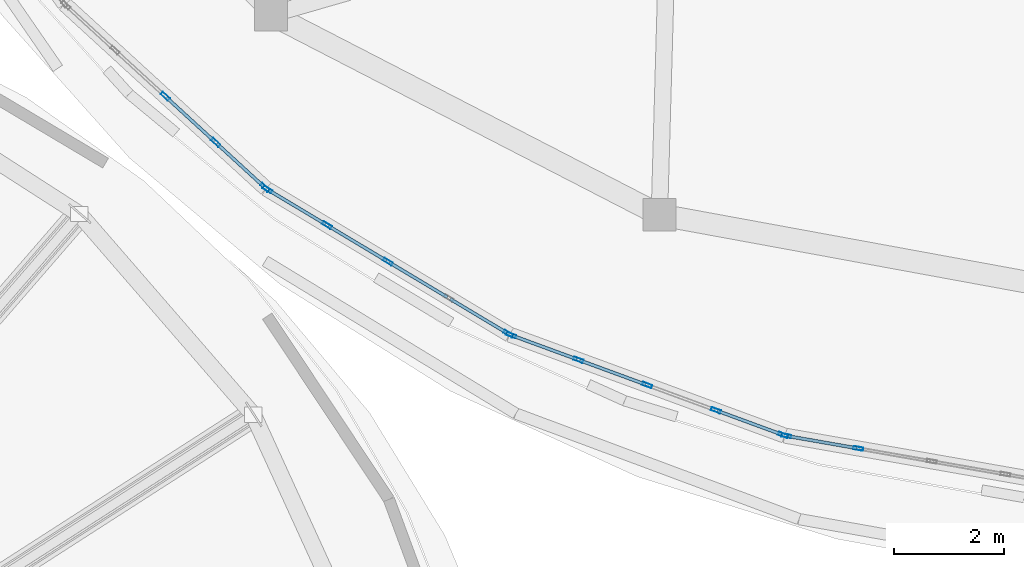
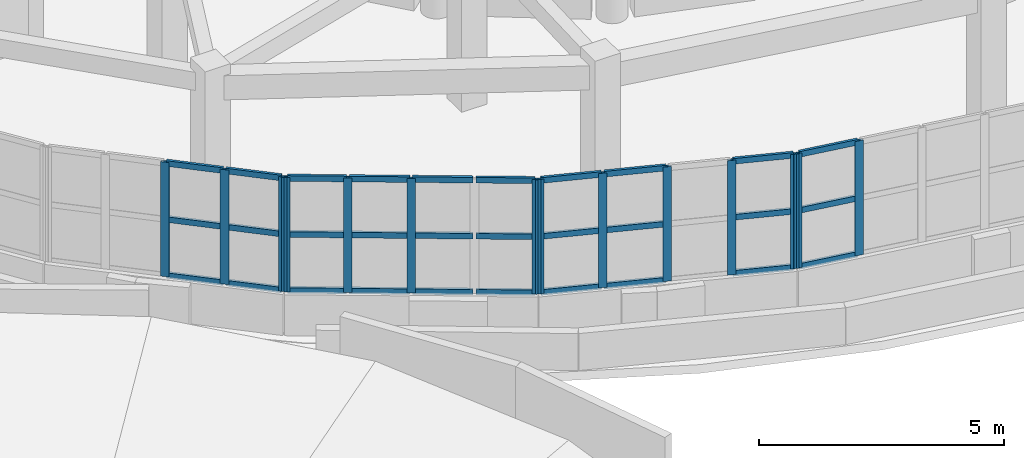
# One storey, part 11 of 69: 44 members, 4 elements without a shape of their own.
"""IFC4 building model written with IfcOpenShell, lengths in metres."""

from ifc_helpers import new_model, si_unit, direction, frame, origin, origin_2d, place, context, subcontext, project, spatial, hollow_rectangle, extrude, material, layer, layer_set, material_profile, profile_set, type_object, element, aggregate, save


model = new_model("IFC4")

# Units and contexts
model_context = context("Model", 3, precision=1e-05, world=origin(), true_north=direction((0.0, 1.0)))
body_context = subcontext(model_context, "Body", "Model", "MODEL_VIEW")
ifc_project = project(units=[si_unit("LENGTHUNIT", "METRE"), si_unit("AREAUNIT", "SQUARE_METRE"), si_unit("VOLUMEUNIT", "CUBIC_METRE"), si_unit("PLANEANGLEUNIT", "RADIAN"), si_unit("MASSUNIT", "GRAM", prefix="KILO")], contexts=[model_context])

# Site, building, storey
site_placement = place(None, origin())
site = spatial("IfcSite", under=ifc_project, at=site_placement, CompositionType="ELEMENT")
building_placement = place(site_placement, origin())
building = spatial("IfcBuilding", under=site, at=building_placement, Name="Pelvatis Terrace Science Centre", CompositionType="ELEMENT")
storey_placement = place(building_placement, frame((0.0, 0.0, 15.0)))
storey = spatial("IfcBuildingStorey", under=building, at=storey_placement, Name="L03", CompositionType="ELEMENT", Elevation=15.0)

# Curtain wall, members
ifc_material_1 = material(Name="Bronze-anodised aluminium and laminated glass", Category="aluminium")
ifc_layer = layer(ifc_material_1, 0.179931640625)
ifc_layer_set = layer_set([ifc_layer], Name="Bronze-anodised aluminium and laminated glass")
curtain_wall_type = type_object("IfcCurtainWallType", Name="CW-RIBBON-A", PredefinedType="NOTDEFINED", material=ifc_layer_set)
curtain_wall_1_placement = place(storey_placement, origin())
curtain_wall_1 = element("IfcCurtainWall", 1, at=curtain_wall_1_placement, inside=storey, type_object=curtain_wall_type, Name="Ribbon curtain wall CW-201 (L03)", PredefinedType="NOTDEFINED")
ifc_material_2 = material(Name="Bronze-anodised aluminium 6063-T6", Category="aluminium")
ifc_material_profile_1 = material_profile(ifc_material_2, hollow_rectangle(XDim=0.06005859375, YDim=0.179931640625, WallThickness=0.00390625, at=origin_2d()), Name="ALU-MUL 60x180")
ifc_profile_set_1 = profile_set([ifc_material_profile_1], Name="Bronze-anodised aluminium 6063-T6")
member_type_1 = type_object("IfcMemberType", Name="CWM-60x180", PredefinedType="MULLION", material=ifc_profile_set_1)
member_1_placement = place(storey_placement, frame((90.69921875, 69.592529296875, 1.02001953125), z_axis=(0.0, 0.0, 1.0), x_axis=(0.675451772708, 0.737404165127, 0.0)))
member_1 = element("IfcMember", 2, at=member_1_placement, type_object=member_type_1, Name="CW-201 mullion 3", PredefinedType="MULLION", context=body_context, shape_type="SweptSolid", body=[
    extrude(hollow_rectangle(XDim=0.06005859375, YDim=0.179931640625, WallThickness=0.00390625, at=origin_2d()), origin(), (0.0, 0.0, 1.0), 2.85009765625),
])
member_2_placement = place(storey_placement, frame((91.6171875, 68.751708984375, 1.02001953125), z_axis=(0.0, 0.0, 1.0), x_axis=(0.675451772708, 0.737404165127, 0.0)))
member_2 = element("IfcMember", 3, at=member_2_placement, type_object=member_type_1, Name="CW-201 mullion 4", PredefinedType="MULLION", context=body_context, shape_type="SweptSolid", body=[
    extrude(hollow_rectangle(XDim=0.06005859375, YDim=0.179931640625, WallThickness=0.00390625, at=origin_2d()), origin(), (0.0, 0.0, 1.0), 2.85009765625),
])
member_3_placement = place(storey_placement, frame((92.51318359375, 67.93115234375, 1.02001953125), z_axis=(0.0, 0.0, 1.0), x_axis=(0.675451772708, 0.737404165127, 0.0)))
member_3 = element("IfcMember", 4, at=member_3_placement, type_object=member_type_1, Name="CW-201 mullion 5", PredefinedType="MULLION", context=body_context, shape_type="SweptSolid", body=[
    extrude(hollow_rectangle(XDim=0.06005859375, YDim=0.179931640625, WallThickness=0.00390625, at=origin_2d()), origin(), (0.0, 0.0, 1.0), 2.85009765625),
])

curtain_wall_2_placement = place(storey_placement, origin())
curtain_wall_2 = element("IfcCurtainWall", 5, at=curtain_wall_2_placement, inside=storey, type_object=curtain_wall_type, Name="Ribbon curtain wall CW-202 (L03)", PredefinedType="NOTDEFINED")
member_4_placement = place(storey_placement, frame((92.56103515625, 67.8955078125, 1.02001953125), z_axis=(0.0, 0.0, 1.0), x_axis=(0.51399559594, 0.857792823096, 0.0)))
member_4 = element("IfcMember", 6, at=member_4_placement, type_object=member_type_1, Name="CW-202 mullion 1", PredefinedType="MULLION", context=body_context, shape_type="SweptSolid", body=[
    extrude(hollow_rectangle(XDim=0.06005859375, YDim=0.179931640625, WallThickness=0.00390625, at=origin_2d()), origin(), (0.0, 0.0, 1.0), 2.85009765625),
])
member_5_placement = place(storey_placement, frame((93.645263671875, 67.245849609375, 1.02001953125), z_axis=(0.0, 0.0, 1.0), x_axis=(0.51399559594, 0.857792823096, 0.0)))
member_5 = element("IfcMember", 7, at=member_5_placement, type_object=member_type_1, Name="CW-202 mullion 2", PredefinedType="MULLION", context=body_context, shape_type="SweptSolid", body=[
    extrude(hollow_rectangle(XDim=0.06005859375, YDim=0.179931640625, WallThickness=0.00390625, at=origin_2d()), origin(), (0.0, 0.0, 1.0), 2.85009765625),
])
member_6_placement = place(storey_placement, frame((94.755126953125, 66.580810546875, 1.02001953125), z_axis=(0.0, 0.0, 1.0), x_axis=(0.51399559594, 0.857792823096, 0.0)))
member_6 = element("IfcMember", 8, at=member_6_placement, type_object=member_type_1, Name="CW-202 mullion 3", PredefinedType="MULLION", context=body_context, shape_type="SweptSolid", body=[
    extrude(hollow_rectangle(XDim=0.06005859375, YDim=0.179931640625, WallThickness=0.00390625, at=origin_2d()), origin(), (0.0, 0.0, 1.0), 2.85009765625),
])
member_7_placement = place(storey_placement, frame((96.94921875, 65.26611328125, 1.02001953125), z_axis=(0.0, 0.0, 1.0), x_axis=(0.51399559594, 0.857792823096, 0.0)))
member_7 = element("IfcMember", 9, at=member_7_placement, type_object=member_type_1, Name="CW-202 mullion 5", PredefinedType="MULLION", context=body_context, shape_type="SweptSolid", body=[
    extrude(hollow_rectangle(XDim=0.06005859375, YDim=0.179931640625, WallThickness=0.00390625, at=origin_2d()), origin(), (0.0, 0.0, 1.0), 2.85009765625),
])

curtain_wall_3_placement = place(storey_placement, origin())
curtain_wall_3 = element("IfcCurtainWall", 10, at=curtain_wall_3_placement, inside=storey, type_object=curtain_wall_type, Name="Ribbon curtain wall CW-203 (L03)", PredefinedType="NOTDEFINED")
member_8_placement = place(storey_placement, frame((97.003173828125, 65.240234375, 1.02001953125), z_axis=(0.0, 0.0, 1.0), x_axis=(0.34471510549, 0.938707353783, 0.0)))
member_8 = element("IfcMember", 11, at=member_8_placement, type_object=member_type_1, Name="CW-203 mullion 1", PredefinedType="MULLION", context=body_context, shape_type="SweptSolid", body=[
    extrude(hollow_rectangle(XDim=0.06005859375, YDim=0.179931640625, WallThickness=0.00390625, at=origin_2d()), origin(), (0.0, 0.0, 1.0), 2.85009765625),
])
member_9_placement = place(storey_placement, frame((98.228271484375, 64.790283203125, 1.02001953125), z_axis=(0.0, 0.0, 1.0), x_axis=(0.34471510549, 0.938707353783, 0.0)))
member_9 = element("IfcMember", 12, at=member_9_placement, type_object=member_type_1, Name="CW-203 mullion 2", PredefinedType="MULLION", context=body_context, shape_type="SweptSolid", body=[
    extrude(hollow_rectangle(XDim=0.06005859375, YDim=0.179931640625, WallThickness=0.00390625, at=origin_2d()), origin(), (0.0, 0.0, 1.0), 2.85009765625),
])
member_10_placement = place(storey_placement, frame((99.481689453125, 64.330078125, 1.02001953125), z_axis=(0.0, 0.0, 1.0), x_axis=(0.34471510549, 0.938707353783, 0.0)))
member_10 = element("IfcMember", 13, at=member_10_placement, type_object=member_type_1, Name="CW-203 mullion 3", PredefinedType="MULLION", context=body_context, shape_type="SweptSolid", body=[
    extrude(hollow_rectangle(XDim=0.06005859375, YDim=0.179931640625, WallThickness=0.00390625, at=origin_2d()), origin(), (0.0, 0.0, 1.0), 2.85009765625),
])
member_11_placement = place(storey_placement, frame((100.73486328125, 63.869873046875, 1.02001953125), z_axis=(0.0, 0.0, 1.0), x_axis=(0.34471510549, 0.938707353783, 0.0)))
member_11 = element("IfcMember", 14, at=member_11_placement, type_object=member_type_1, Name="CW-203 mullion 4", PredefinedType="MULLION", context=body_context, shape_type="SweptSolid", body=[
    extrude(hollow_rectangle(XDim=0.06005859375, YDim=0.179931640625, WallThickness=0.00390625, at=origin_2d()), origin(), (0.0, 0.0, 1.0), 2.85009765625),
])
member_12_placement = place(storey_placement, frame((101.960205078125, 63.419921875, 1.02001953125), z_axis=(0.0, 0.0, 1.0), x_axis=(0.34471510549, 0.938707353783, 0.0)))
member_12 = element("IfcMember", 15, at=member_12_placement, type_object=member_type_1, Name="CW-203 mullion 5", PredefinedType="MULLION", context=body_context, shape_type="SweptSolid", body=[
    extrude(hollow_rectangle(XDim=0.06005859375, YDim=0.179931640625, WallThickness=0.00390625, at=origin_2d()), origin(), (0.0, 0.0, 1.0), 2.85009765625),
])

curtain_wall_4_placement = place(storey_placement, origin())
curtain_wall_4 = element("IfcCurtainWall", 16, at=curtain_wall_4_placement, inside=storey, type_object=curtain_wall_type, Name="Ribbon curtain wall CW-204 (L03)", PredefinedType="NOTDEFINED")
member_13_placement = place(storey_placement, frame((102.017822265625, 63.404541015625, 1.02001953125), z_axis=(0.0, 0.0, 1.0), x_axis=(0.172671428067, 0.984979480969, 0.0)))
member_13 = element("IfcMember", 17, at=member_13_placement, type_object=member_type_1, Name="CW-204 mullion 1", PredefinedType="MULLION", context=body_context, shape_type="SweptSolid", body=[
    extrude(hollow_rectangle(XDim=0.06005859375, YDim=0.179931640625, WallThickness=0.00390625, at=origin_2d()), origin(), (0.0, 0.0, 1.0), 2.85009765625),
])
member_14_placement = place(storey_placement, frame((103.330322265625, 63.17431640625, 1.02001953125), z_axis=(0.0, 0.0, 1.0), x_axis=(0.172671428067, 0.984979480969, 0.0)))
member_14 = element("IfcMember", 18, at=member_14_placement, type_object=member_type_1, Name="CW-204 mullion 2", PredefinedType="MULLION", context=body_context, shape_type="SweptSolid", body=[
    extrude(hollow_rectangle(XDim=0.06005859375, YDim=0.179931640625, WallThickness=0.00390625, at=origin_2d()), origin(), (0.0, 0.0, 1.0), 2.85009765625),
])

# Member
ifc_material_3 = material(Name="Bronze-anodised aluminium 6063-T6", Category="aluminium")
ifc_material_profile_2 = material_profile(ifc_material_3, hollow_rectangle(XDim=0.06005859375, YDim=0.139892578125, WallThickness=0.00390625, at=origin_2d()), Name="ALU-TRN 60x140")
ifc_profile_set_2 = profile_set([ifc_material_profile_2], Name="Bronze-anodised aluminium 6063-T6")
member_type_2 = type_object("IfcMemberType", Name="CWT-60x140", PredefinedType="USERDEFINED", material=ifc_profile_set_2)
member_15_placement = place(storey_placement, frame((90.721435546875, 69.572265625, 1.050048828125), z_axis=(0.737436319154, -0.675416667837, 0.0), x_axis=(0.675416667837, 0.737436319154, 0.0)))
member_15 = element("IfcMember", 19, at=member_15_placement, type_object=member_type_2, Name="CW-201 transom 3.1", ObjectType="TRANSOM", PredefinedType="USERDEFINED", context=body_context, shape_type="SweptSolid", body=[
    extrude(hollow_rectangle(XDim=0.06005859375, YDim=0.139892578125, WallThickness=0.00390625, at=origin_2d()), origin(), (0.0, 0.0, 1.0), 1.184814453125),
])

member_16_placement = place(storey_placement, frame((90.721435546875, 69.572265625, 2.445068359375), z_axis=(0.737436319154, -0.675416667837, 0.0), x_axis=(0.675416667837, 0.737436319154, 0.0)))
member_16 = element("IfcMember", 20, at=member_16_placement, type_object=member_type_2, Name="CW-201 transom 3.2", ObjectType="TRANSOM", PredefinedType="USERDEFINED", context=body_context, shape_type="SweptSolid", body=[
    extrude(hollow_rectangle(XDim=0.06005859375, YDim=0.139892578125, WallThickness=0.00390625, at=origin_2d()), origin(), (0.0, 0.0, 1.0), 1.184814453125),
])

member_17_placement = place(storey_placement, frame((90.721435546875, 69.572265625, 3.840087890625), z_axis=(0.737436319154, -0.675416667837, 0.0), x_axis=(0.675416667837, 0.737436319154, 0.0)))
member_17 = element("IfcMember", 21, at=member_17_placement, type_object=member_type_2, Name="CW-201 transom 3.3", ObjectType="TRANSOM", PredefinedType="USERDEFINED", context=body_context, shape_type="SweptSolid", body=[
    extrude(hollow_rectangle(XDim=0.06005859375, YDim=0.139892578125, WallThickness=0.00390625, at=origin_2d()), origin(), (0.0, 0.0, 1.0), 1.184814453125),
])

member_18_placement = place(storey_placement, frame((91.639404296875, 68.7314453125, 1.050048828125), z_axis=(0.737399806304, -0.67545653129, 0.0), x_axis=(0.67545653129, 0.737399806304, 0.0)))
member_18 = element("IfcMember", 22, at=member_18_placement, type_object=member_type_2, Name="CW-201 transom 4.1", ObjectType="TRANSOM", PredefinedType="USERDEFINED", context=body_context, shape_type="SweptSolid", body=[
    extrude(hollow_rectangle(XDim=0.06005859375, YDim=0.139892578125, WallThickness=0.00390625, at=origin_2d()), origin(), (0.0, 0.0, 1.0), 1.15478515625),
])

member_19_placement = place(storey_placement, frame((91.639404296875, 68.7314453125, 2.445068359375), z_axis=(0.737399806304, -0.67545653129, 0.0), x_axis=(0.67545653129, 0.737399806304, 0.0)))
member_19 = element("IfcMember", 23, at=member_19_placement, type_object=member_type_2, Name="CW-201 transom 4.2", ObjectType="TRANSOM", PredefinedType="USERDEFINED", context=body_context, shape_type="SweptSolid", body=[
    extrude(hollow_rectangle(XDim=0.06005859375, YDim=0.139892578125, WallThickness=0.00390625, at=origin_2d()), origin(), (0.0, 0.0, 1.0), 1.15478515625),
])

member_20_placement = place(storey_placement, frame((91.639404296875, 68.7314453125, 3.840087890625), z_axis=(0.737399806304, -0.67545653129, 0.0), x_axis=(0.67545653129, 0.737399806304, 0.0)))
member_20 = element("IfcMember", 24, at=member_20_placement, type_object=member_type_2, Name="CW-201 transom 4.3", ObjectType="TRANSOM", PredefinedType="USERDEFINED", context=body_context, shape_type="SweptSolid", body=[
    extrude(hollow_rectangle(XDim=0.06005859375, YDim=0.139892578125, WallThickness=0.00390625, at=origin_2d()), origin(), (0.0, 0.0, 1.0), 1.15478515625),
])

aggregate(curtain_wall_1, [member_1, member_2, member_3, member_15, member_16, member_17, member_18, member_19, member_20])

member_21_placement = place(storey_placement, frame((92.586669921875, 67.880126953125, 1.050048828125), z_axis=(0.857761194899, -0.514048375666, 0.0), x_axis=(0.514048375666, 0.857761194899, 0.0)))
member_21 = element("IfcMember", 25, at=member_21_placement, type_object=member_type_2, Name="CW-202 transom 1.1", ObjectType="TRANSOM", PredefinedType="USERDEFINED", context=body_context, shape_type="SweptSolid", body=[
    extrude(hollow_rectangle(XDim=0.06005859375, YDim=0.139892578125, WallThickness=0.00390625, at=origin_2d()), origin(), (0.0, 0.0, 1.0), 1.203857421875),
])

member_22_placement = place(storey_placement, frame((92.586669921875, 67.880126953125, 2.445068359375), z_axis=(0.857761194899, -0.514048375666, 0.0), x_axis=(0.514048375666, 0.857761194899, 0.0)))
member_22 = element("IfcMember", 26, at=member_22_placement, type_object=member_type_2, Name="CW-202 transom 1.2", ObjectType="TRANSOM", PredefinedType="USERDEFINED", context=body_context, shape_type="SweptSolid", body=[
    extrude(hollow_rectangle(XDim=0.06005859375, YDim=0.139892578125, WallThickness=0.00390625, at=origin_2d()), origin(), (0.0, 0.0, 1.0), 1.203857421875),
])

member_23_placement = place(storey_placement, frame((92.586669921875, 67.880126953125, 3.840087890625), z_axis=(0.857761194899, -0.514048375666, 0.0), x_axis=(0.514048375666, 0.857761194899, 0.0)))
member_23 = element("IfcMember", 27, at=member_23_placement, type_object=member_type_2, Name="CW-202 transom 1.3", ObjectType="TRANSOM", PredefinedType="USERDEFINED", context=body_context, shape_type="SweptSolid", body=[
    extrude(hollow_rectangle(XDim=0.06005859375, YDim=0.139892578125, WallThickness=0.00390625, at=origin_2d()), origin(), (0.0, 0.0, 1.0), 1.203857421875),
])

member_24_placement = place(storey_placement, frame((93.6708984375, 67.23046875, 1.050048828125), z_axis=(0.857806972288, -0.513971982012, 0.0), x_axis=(0.513971982012, 0.857806972288, 0.0)))
member_24 = element("IfcMember", 28, at=member_24_placement, type_object=member_type_2, Name="CW-202 transom 2.1", ObjectType="TRANSOM", PredefinedType="USERDEFINED", context=body_context, shape_type="SweptSolid", body=[
    extrude(hollow_rectangle(XDim=0.06005859375, YDim=0.139892578125, WallThickness=0.00390625, at=origin_2d()), origin(), (0.0, 0.0, 1.0), 1.234130859375),
])

member_25_placement = place(storey_placement, frame((93.6708984375, 67.23046875, 2.445068359375), z_axis=(0.857806972288, -0.513971982012, 0.0), x_axis=(0.513971982012, 0.857806972288, 0.0)))
member_25 = element("IfcMember", 29, at=member_25_placement, type_object=member_type_2, Name="CW-202 transom 2.2", ObjectType="TRANSOM", PredefinedType="USERDEFINED", context=body_context, shape_type="SweptSolid", body=[
    extrude(hollow_rectangle(XDim=0.06005859375, YDim=0.139892578125, WallThickness=0.00390625, at=origin_2d()), origin(), (0.0, 0.0, 1.0), 1.234130859375),
])

member_26_placement = place(storey_placement, frame((93.6708984375, 67.23046875, 3.840087890625), z_axis=(0.857806972288, -0.513971982012, 0.0), x_axis=(0.513971982012, 0.857806972288, 0.0)))
member_26 = element("IfcMember", 30, at=member_26_placement, type_object=member_type_2, Name="CW-202 transom 2.3", ObjectType="TRANSOM", PredefinedType="USERDEFINED", context=body_context, shape_type="SweptSolid", body=[
    extrude(hollow_rectangle(XDim=0.06005859375, YDim=0.139892578125, WallThickness=0.00390625, at=origin_2d()), origin(), (0.0, 0.0, 1.0), 1.234130859375),
])

member_27_placement = place(storey_placement, frame((94.78076171875, 66.5654296875, 1.050048828125), z_axis=(0.857806972288, -0.513971982012, 0.0), x_axis=(0.513971982012, 0.857806972288, 0.0)))
member_27 = element("IfcMember", 31, at=member_27_placement, type_object=member_type_2, Name="CW-202 transom 3.1", ObjectType="TRANSOM", PredefinedType="USERDEFINED", context=body_context, shape_type="SweptSolid", body=[
    extrude(hollow_rectangle(XDim=0.06005859375, YDim=0.139892578125, WallThickness=0.00390625, at=origin_2d()), origin(), (0.0, 0.0, 1.0), 1.234130859375),
])

member_28_placement = place(storey_placement, frame((94.78076171875, 66.5654296875, 2.445068359375), z_axis=(0.857806972288, -0.513971982012, 0.0), x_axis=(0.513971982012, 0.857806972288, 0.0)))
member_28 = element("IfcMember", 32, at=member_28_placement, type_object=member_type_2, Name="CW-202 transom 3.2", ObjectType="TRANSOM", PredefinedType="USERDEFINED", context=body_context, shape_type="SweptSolid", body=[
    extrude(hollow_rectangle(XDim=0.06005859375, YDim=0.139892578125, WallThickness=0.00390625, at=origin_2d()), origin(), (0.0, 0.0, 1.0), 1.234130859375),
])

member_29_placement = place(storey_placement, frame((94.78076171875, 66.5654296875, 3.840087890625), z_axis=(0.857806972288, -0.513971982012, 0.0), x_axis=(0.513971982012, 0.857806972288, 0.0)))
member_29 = element("IfcMember", 33, at=member_29_placement, type_object=member_type_2, Name="CW-202 transom 3.3", ObjectType="TRANSOM", PredefinedType="USERDEFINED", context=body_context, shape_type="SweptSolid", body=[
    extrude(hollow_rectangle(XDim=0.06005859375, YDim=0.139892578125, WallThickness=0.00390625, at=origin_2d()), origin(), (0.0, 0.0, 1.0), 1.234130859375),
])

member_30_placement = place(storey_placement, frame((95.890869140625, 65.900146484375, 1.050048828125), z_axis=(0.857850603365, -0.513899155775, 0.0), x_axis=(0.513899155775, 0.857850603365, 0.0)))
member_30 = element("IfcMember", 34, at=member_30_placement, type_object=member_type_2, Name="CW-202 transom 4.1", ObjectType="TRANSOM", PredefinedType="USERDEFINED", context=body_context, shape_type="SweptSolid", body=[
    extrude(hollow_rectangle(XDim=0.06005859375, YDim=0.139892578125, WallThickness=0.00390625, at=origin_2d()), origin(), (0.0, 0.0, 1.0), 1.203857421875),
])

member_31_placement = place(storey_placement, frame((95.890869140625, 65.900146484375, 2.445068359375), z_axis=(0.857850603365, -0.513899155775, 0.0), x_axis=(0.513899155775, 0.857850603365, 0.0)))
member_31 = element("IfcMember", 35, at=member_31_placement, type_object=member_type_2, Name="CW-202 transom 4.2", ObjectType="TRANSOM", PredefinedType="USERDEFINED", context=body_context, shape_type="SweptSolid", body=[
    extrude(hollow_rectangle(XDim=0.06005859375, YDim=0.139892578125, WallThickness=0.00390625, at=origin_2d()), origin(), (0.0, 0.0, 1.0), 1.203857421875),
])

member_32_placement = place(storey_placement, frame((95.890869140625, 65.900146484375, 3.840087890625), z_axis=(0.857850603365, -0.513899155775, 0.0), x_axis=(0.513899155775, 0.857850603365, 0.0)))
member_32 = element("IfcMember", 36, at=member_32_placement, type_object=member_type_2, Name="CW-202 transom 4.3", ObjectType="TRANSOM", PredefinedType="USERDEFINED", context=body_context, shape_type="SweptSolid", body=[
    extrude(hollow_rectangle(XDim=0.06005859375, YDim=0.139892578125, WallThickness=0.00390625, at=origin_2d()), origin(), (0.0, 0.0, 1.0), 1.203857421875),
])

aggregate(curtain_wall_2, [member_4, member_5, member_6, member_7, member_21, member_22, member_23, member_24, member_25, member_26, member_27, member_28, member_29, member_30, member_31, member_32])

member_33_placement = place(storey_placement, frame((97.03125, 65.22998046875, 1.050048828125), z_axis=(0.938724140353, -0.344669389879, 0.0), x_axis=(0.344669389879, 0.938724140353, 0.0)))
member_33 = element("IfcMember", 37, at=member_33_placement, type_object=member_type_2, Name="CW-203 transom 1.1", ObjectType="TRANSOM", PredefinedType="USERDEFINED", context=body_context, shape_type="SweptSolid", body=[
    extrude(hollow_rectangle(XDim=0.06005859375, YDim=0.139892578125, WallThickness=0.00390625, at=origin_2d()), origin(), (0.0, 0.0, 1.0), 1.245361328125),
])

member_34_placement = place(storey_placement, frame((97.03125, 65.22998046875, 2.445068359375), z_axis=(0.938724140353, -0.344669389879, 0.0), x_axis=(0.344669389879, 0.938724140353, 0.0)))
member_34 = element("IfcMember", 38, at=member_34_placement, type_object=member_type_2, Name="CW-203 transom 1.2", ObjectType="TRANSOM", PredefinedType="USERDEFINED", context=body_context, shape_type="SweptSolid", body=[
    extrude(hollow_rectangle(XDim=0.06005859375, YDim=0.139892578125, WallThickness=0.00390625, at=origin_2d()), origin(), (0.0, 0.0, 1.0), 1.245361328125),
])

member_35_placement = place(storey_placement, frame((97.03125, 65.22998046875, 3.840087890625), z_axis=(0.938724140353, -0.344669389879, 0.0), x_axis=(0.344669389879, 0.938724140353, 0.0)))
member_35 = element("IfcMember", 39, at=member_35_placement, type_object=member_type_2, Name="CW-203 transom 1.3", ObjectType="TRANSOM", PredefinedType="USERDEFINED", context=body_context, shape_type="SweptSolid", body=[
    extrude(hollow_rectangle(XDim=0.06005859375, YDim=0.139892578125, WallThickness=0.00390625, at=origin_2d()), origin(), (0.0, 0.0, 1.0), 1.245361328125),
])

member_36_placement = place(storey_placement, frame((98.256591796875, 64.780029296875, 1.050048828125), z_axis=(0.938653315442, -0.344862223809, 0.0), x_axis=(0.344862223809, 0.938653315442, 0.0)))
member_36 = element("IfcMember", 40, at=member_36_placement, type_object=member_type_2, Name="CW-203 transom 2.1", ObjectType="TRANSOM", PredefinedType="USERDEFINED", context=body_context, shape_type="SweptSolid", body=[
    extrude(hollow_rectangle(XDim=0.06005859375, YDim=0.139892578125, WallThickness=0.00390625, at=origin_2d()), origin(), (0.0, 0.0, 1.0), 1.27490234375),
])

member_37_placement = place(storey_placement, frame((98.256591796875, 64.780029296875, 2.445068359375), z_axis=(0.938653315442, -0.344862223809, 0.0), x_axis=(0.344862223809, 0.938653315442, 0.0)))
member_37 = element("IfcMember", 41, at=member_37_placement, type_object=member_type_2, Name="CW-203 transom 2.2", ObjectType="TRANSOM", PredefinedType="USERDEFINED", context=body_context, shape_type="SweptSolid", body=[
    extrude(hollow_rectangle(XDim=0.06005859375, YDim=0.139892578125, WallThickness=0.00390625, at=origin_2d()), origin(), (0.0, 0.0, 1.0), 1.27490234375),
])

member_38_placement = place(storey_placement, frame((98.256591796875, 64.780029296875, 3.840087890625), z_axis=(0.938653315442, -0.344862223809, 0.0), x_axis=(0.344862223809, 0.938653315442, 0.0)))
member_38 = element("IfcMember", 42, at=member_38_placement, type_object=member_type_2, Name="CW-203 transom 2.3", ObjectType="TRANSOM", PredefinedType="USERDEFINED", context=body_context, shape_type="SweptSolid", body=[
    extrude(hollow_rectangle(XDim=0.06005859375, YDim=0.139892578125, WallThickness=0.00390625, at=origin_2d()), origin(), (0.0, 0.0, 1.0), 1.27490234375),
])

member_39_placement = place(storey_placement, frame((100.76318359375, 63.859619140625, 1.050048828125), z_axis=(0.938637375111, -0.344905607441, 0.0), x_axis=(0.344905607441, 0.938637375111, 0.0)))
member_39 = element("IfcMember", 43, at=member_39_placement, type_object=member_type_2, Name="CW-203 transom 4.1", ObjectType="TRANSOM", PredefinedType="USERDEFINED", context=body_context, shape_type="SweptSolid", body=[
    extrude(hollow_rectangle(XDim=0.06005859375, YDim=0.139892578125, WallThickness=0.00390625, at=origin_2d()), origin(), (0.0, 0.0, 1.0), 1.2451171875),
])

member_40_placement = place(storey_placement, frame((100.76318359375, 63.859619140625, 2.445068359375), z_axis=(0.938637375111, -0.344905607441, 0.0), x_axis=(0.344905607441, 0.938637375111, 0.0)))
member_40 = element("IfcMember", 44, at=member_40_placement, type_object=member_type_2, Name="CW-203 transom 4.2", ObjectType="TRANSOM", PredefinedType="USERDEFINED", context=body_context, shape_type="SweptSolid", body=[
    extrude(hollow_rectangle(XDim=0.06005859375, YDim=0.139892578125, WallThickness=0.00390625, at=origin_2d()), origin(), (0.0, 0.0, 1.0), 1.2451171875),
])

member_41_placement = place(storey_placement, frame((100.76318359375, 63.859619140625, 3.840087890625), z_axis=(0.938637375111, -0.344905607441, 0.0), x_axis=(0.344905607441, 0.938637375111, 0.0)))
member_41 = element("IfcMember", 45, at=member_41_placement, type_object=member_type_2, Name="CW-203 transom 4.3", ObjectType="TRANSOM", PredefinedType="USERDEFINED", context=body_context, shape_type="SweptSolid", body=[
    extrude(hollow_rectangle(XDim=0.06005859375, YDim=0.139892578125, WallThickness=0.00390625, at=origin_2d()), origin(), (0.0, 0.0, 1.0), 1.2451171875),
])

aggregate(curtain_wall_3, [member_8, member_9, member_10, member_11, member_12, member_33, member_34, member_35, member_36, member_37, member_38, member_39, member_40, member_41])

member_42_placement = place(storey_placement, frame((102.04736328125, 63.399169921875, 1.050048828125), z_axis=(0.984979930801, -0.172668862042, 0.0), x_axis=(0.172668862042, 0.984979930801, 0.0)))
member_42 = element("IfcMember", 46, at=member_42_placement, type_object=member_type_2, Name="CW-204 transom 1.1", ObjectType="TRANSOM", PredefinedType="USERDEFINED", context=body_context, shape_type="SweptSolid", body=[
    extrude(hollow_rectangle(XDim=0.06005859375, YDim=0.139892578125, WallThickness=0.00390625, at=origin_2d()), origin(), (0.0, 0.0, 1.0), 1.2724609375),
])

member_43_placement = place(storey_placement, frame((102.04736328125, 63.399169921875, 2.445068359375), z_axis=(0.984979930801, -0.172668862042, 0.0), x_axis=(0.172668862042, 0.984979930801, 0.0)))
member_43 = element("IfcMember", 47, at=member_43_placement, type_object=member_type_2, Name="CW-204 transom 1.2", ObjectType="TRANSOM", PredefinedType="USERDEFINED", context=body_context, shape_type="SweptSolid", body=[
    extrude(hollow_rectangle(XDim=0.06005859375, YDim=0.139892578125, WallThickness=0.00390625, at=origin_2d()), origin(), (0.0, 0.0, 1.0), 1.2724609375),
])

member_44_placement = place(storey_placement, frame((102.04736328125, 63.399169921875, 3.840087890625), z_axis=(0.984979930801, -0.172668862042, 0.0), x_axis=(0.172668862042, 0.984979930801, 0.0)))
member_44 = element("IfcMember", 48, at=member_44_placement, type_object=member_type_2, Name="CW-204 transom 1.3", ObjectType="TRANSOM", PredefinedType="USERDEFINED", context=body_context, shape_type="SweptSolid", body=[
    extrude(hollow_rectangle(XDim=0.06005859375, YDim=0.139892578125, WallThickness=0.00390625, at=origin_2d()), origin(), (0.0, 0.0, 1.0), 1.2724609375),
])

aggregate(curtain_wall_4, [member_13, member_14, member_42, member_43, member_44])

save(model, "model.ifc")
